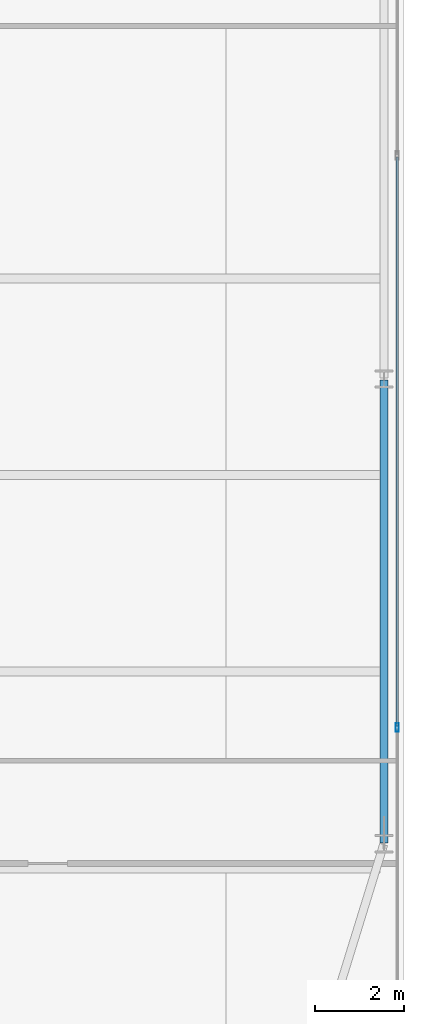
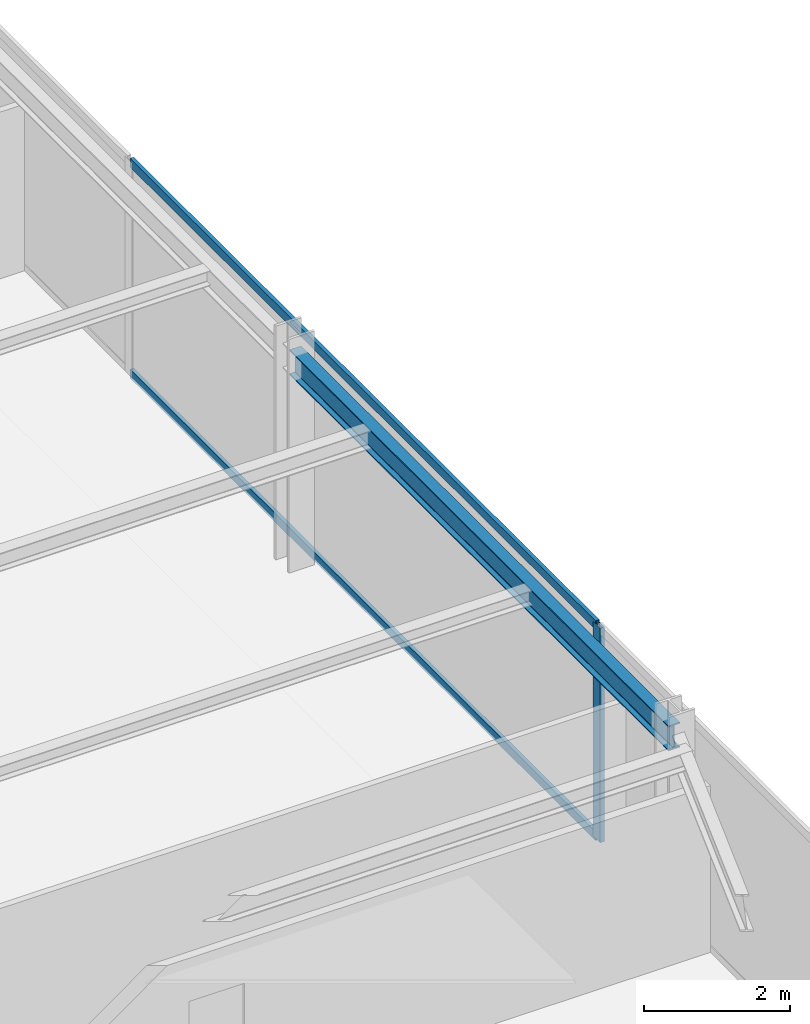
# One storey, part 18 of 32: 3 members, 1 beam, 1 element without a shape of its own.
"""IFC4 building model written with IfcOpenShell, lengths in metres."""

from ifc_helpers import new_model, si_unit, direction, frame, origin, origin_2d, place, context, subcontext, project, spatial, hollow_rectangle, i_section, extrude, source, transform, mapped, material, layer, layer_set, material_profile, profile_set, type_object, type_shapes, element, aggregate, save


model = new_model("IFC4")

# Units and contexts
model_context = context("Model", 3, precision=1e-05, world=origin(), true_north=direction((0.0, 1.0)))
body_context = subcontext(model_context, "Body", "Model", "MODEL_VIEW")
ifc_project = project(units=[si_unit("LENGTHUNIT", "METRE"), si_unit("AREAUNIT", "SQUARE_METRE"), si_unit("VOLUMEUNIT", "CUBIC_METRE"), si_unit("PLANEANGLEUNIT", "RADIAN"), si_unit("MASSUNIT", "GRAM", prefix="KILO")], contexts=[model_context])

# Site, building, storey
site_placement = place(None, origin())
site = spatial("IfcSite", under=ifc_project, at=site_placement, CompositionType="ELEMENT")
building_placement = place(site_placement, origin())
building = spatial("IfcBuilding", under=site, at=building_placement, Name="Varnel Quay Broadcast Tower", CompositionType="ELEMENT")
storey_placement = place(building_placement, frame((0.0, 0.0, 78.300048828125)))
storey = spatial("IfcBuildingStorey", under=building, at=storey_placement, Name="L18", CompositionType="ELEMENT", Elevation=78.300048828125)

# Beam
ifc_material_1 = material(Name="Structural Steel CSA G40.21 350W", Category="steel")
ifc_material_profile_1 = material_profile(ifc_material_1, i_section(OverallWidth=0.180908203125, OverallDepth=0.4169921875, WebThickness=0.010986328125, FlangeThickness=0.018310546875, FilletRadius=0.011962890625, at=origin_2d()), Name="W410X85")
ifc_profile_set_1 = profile_set([ifc_material_profile_1], Name="Structural Steel CSA G40.21 350W")
beam_type = type_object("IfcBeamType", Name="Beam_W410X85", PredefinedType="SPANDREL", material=ifc_profile_set_1)
shared_shape_1 = source(origin(), body_context, "Body", "SweptSolid", [
    extrude(i_section(OverallWidth=0.180908203125, OverallDepth=0.4169921875, WebThickness=0.010986328125, FlangeThickness=0.018310546875, FilletRadius=0.011962890625, at=origin_2d()), origin(), (0.0, 0.0, 1.0), 10.35986328125),
])
type_shapes(beam_type, [shared_shape_1])
beam_placement = place(storey_placement, frame((65.550048828125, 15.02001953125, 3.371337890625), z_axis=(0.0, 1.0, 0.0), x_axis=(-1.0, 0.0, 0.0)))
element("IfcBeam", 1, at=beam_placement, inside=storey, type_object=beam_type, Name="L18 East Spandrel TC-E1-TC-E2", PredefinedType="SPANDREL", context=body_context, shape_type="MappedRepresentation", body=[
    mapped(shared_shape_1, transform((0.0, 0.0, 0.0), x_axis=(1.0, 0.0, 0.0), y_axis=(0.0, 1.0, 0.0), z_axis=(0.0, 0.0, 1.0), scale=1.0)),
])

# Curtain wall, members
ifc_material_2 = material(Name="Anodised Bronze Aluminium 6063-T6", Category="aluminium")
ifc_layer = layer(ifc_material_2, 0.18994140625, Name="Anodised Bronze Aluminium 6063-T6")
ifc_layer_set = layer_set([ifc_layer], Name="Anodised Bronze Aluminium 6063-T6")
curtain_wall_type = type_object("IfcCurtainWallType", Name="CW_LowerTower", PredefinedType="NOTDEFINED", material=ifc_layer_set)
curtain_wall_placement = place(storey_placement, origin())
curtain_wall = element("IfcCurtainWall", 2, at=curtain_wall_placement, inside=storey, type_object=curtain_wall_type, Name="L18 East Unitised Curtain Wall", PredefinedType="NOTDEFINED")
ifc_material_profile_2 = material_profile(ifc_material_2, hollow_rectangle(XDim=0.06005859375, YDim=0.14501953125, WallThickness=0.00341796875, at=origin_2d()), Name="ALU60X145X3.5")
ifc_profile_set_2 = profile_set([ifc_material_profile_2], Name="Anodised Bronze Aluminium 6063-T6")
member_type_1 = type_object("IfcMemberType", Name="Tran_CWS-02", PredefinedType="USERDEFINED", material=ifc_profile_set_2)
shared_shape_2 = source(origin(), body_context, "Body", "SweptSolid", [
    extrude(hollow_rectangle(XDim=0.06005859375, YDim=0.14501953125, WallThickness=0.00341796875, at=origin_2d()), origin(), (0.0, 0.0, 1.0), 12.72998046875),
])
type_shapes(member_type_1, [shared_shape_2])
member_1_placement = place(storey_placement, frame((65.85009765625, 17.635009765625, 0.030029296875), z_axis=(0.0, 1.0, 0.0), x_axis=(-1.0, 0.0, 0.0)))
member_1 = element("IfcMember", 3, at=member_1_placement, type_object=member_type_1, Name="CWS-02 transom 2.1", ObjectType="TRANSOM", PredefinedType="USERDEFINED", context=body_context, shape_type="MappedRepresentation", body=[
    mapped(shared_shape_2, transform((0.0, 0.0, 0.0), x_axis=(1.0, 0.0, 0.0), y_axis=(0.0, 1.0, 0.0), z_axis=(0.0, 0.0, 1.0), scale=1.0)),
])
member_2_placement = place(storey_placement, frame((65.85009765625, 17.635009765625, 3.550048828125), z_axis=(0.0, 1.0, 0.0), x_axis=(-1.0, 0.0, 0.0)))
member_2 = element("IfcMember", 4, at=member_2_placement, type_object=member_type_1, Name="CWS-02 transom 2.2", ObjectType="TRANSOM", PredefinedType="USERDEFINED", context=body_context, shape_type="MappedRepresentation", body=[
    mapped(shared_shape_2, transform((0.0, 0.0, 0.0), x_axis=(1.0, 0.0, 0.0), y_axis=(0.0, 1.0, 0.0), z_axis=(0.0, 0.0, 1.0), scale=1.0)),
])
ifc_material_profile_3 = material_profile(ifc_material_2, hollow_rectangle(XDim=0.070068359375, YDim=0.18994140625, WallThickness=0.00390625, at=origin_2d()), Name="ALU70X190X4")
ifc_profile_set_3 = profile_set([ifc_material_profile_3], Name="Anodised Bronze Aluminium 6063-T6")
member_type_2 = type_object("IfcMemberType", Name="Mull_CWS-02", PredefinedType="MULLION", material=ifc_profile_set_3)
shared_shape_3 = source(origin(), body_context, "Body", "SweptSolid", [
    extrude(hollow_rectangle(XDim=0.070068359375, YDim=0.18994140625, WallThickness=0.00390625, at=origin_2d()), origin(), (0.0, 0.0, 1.0), 3.579833984375),
])
type_shapes(member_type_2, [shared_shape_3])
member_3_placement = place(storey_placement, frame((65.85009765625, 17.60009765625, 0.0), z_axis=(0.0, 0.0, 1.0), x_axis=(-1.0, 0.0, 0.0)))
member_3 = element("IfcMember", 5, at=member_3_placement, type_object=member_type_2, Name="CWS-02 mullion 2", PredefinedType="MULLION", context=body_context, shape_type="MappedRepresentation", body=[
    mapped(shared_shape_3, transform((0.0, 0.0, 0.0), x_axis=(1.0, 0.0, 0.0), y_axis=(0.0, 1.0, 0.0), z_axis=(0.0, 0.0, 1.0), scale=1.0)),
])
aggregate(curtain_wall, [member_3, member_1, member_2])

save(model, "model.ifc")
